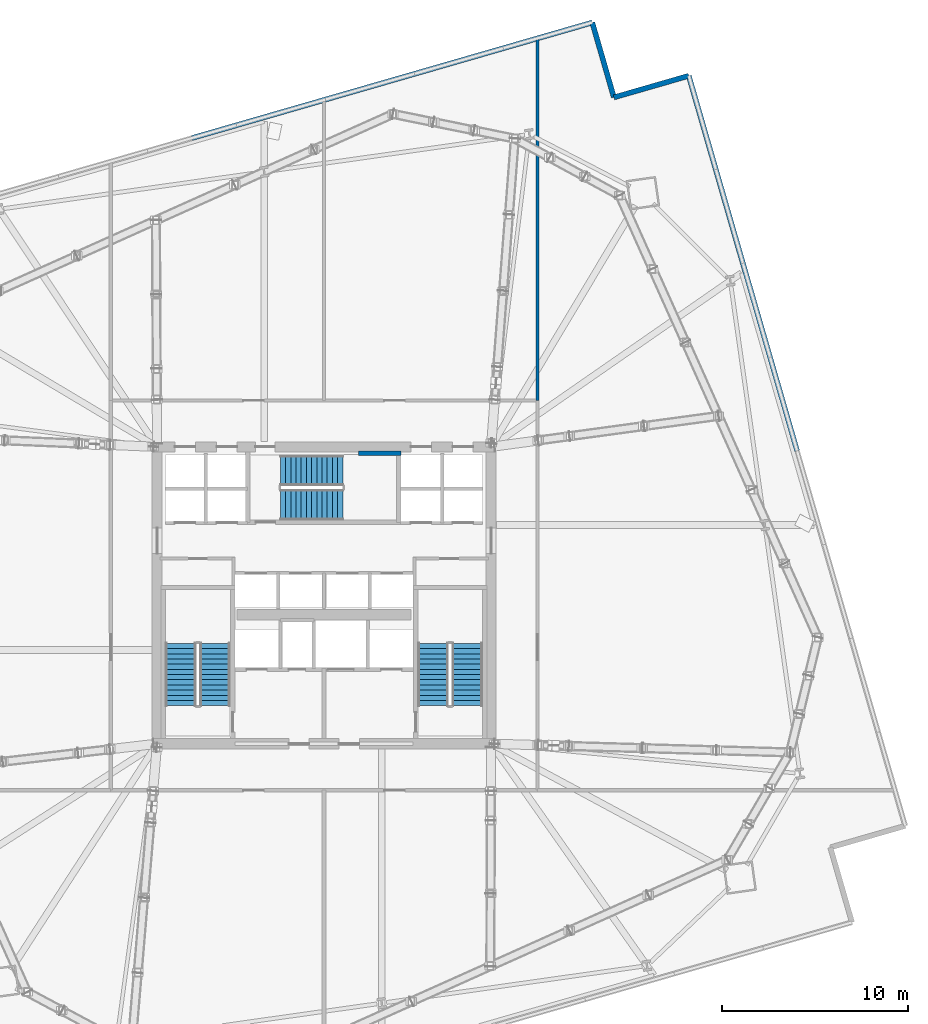
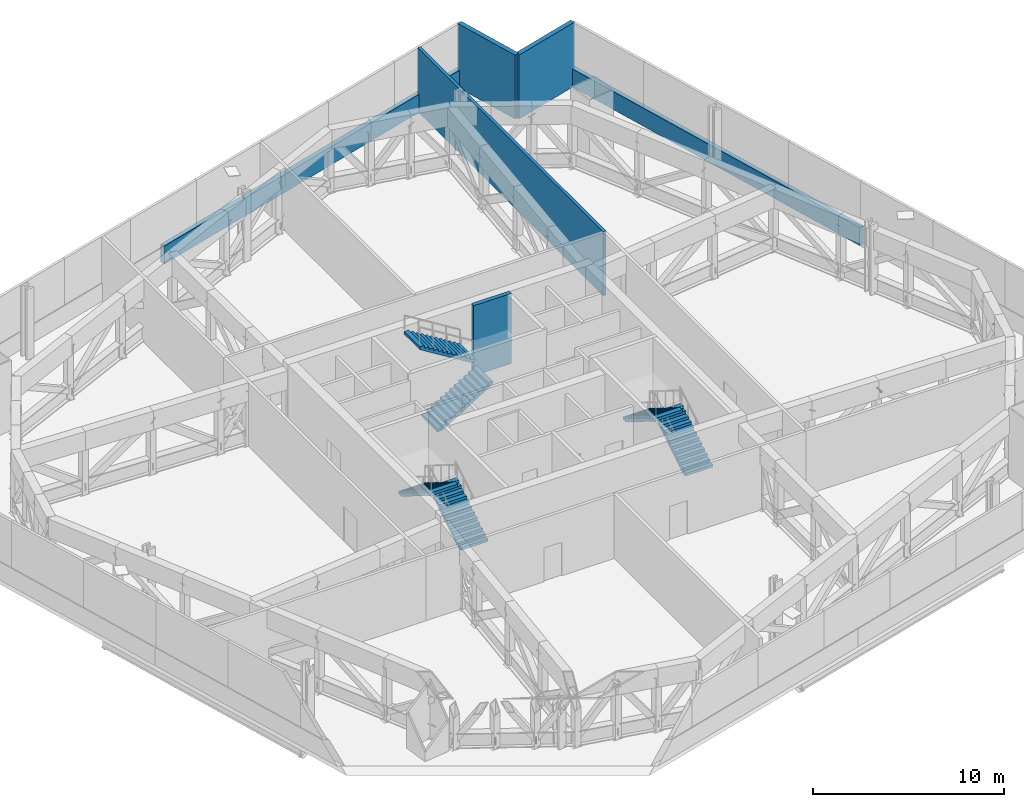
# One storey, part 14 of 19: 6 stair flights, 6 walls, 3 elements without a shape of their own.
"""IFC4 building model written with IfcOpenShell, lengths in metres."""

from ifc_helpers import new_model, si_unit, direction, frame, frame_2d, origin, place, context, subcontext, project, spatial, polyline, rectangle, outline, extrude, material, layer, layer_set, type_object, element, aggregate, save


model = new_model("IFC4")

# Units and contexts
model_context = context("Model", 3, precision=1e-05, world=origin(), true_north=direction((0.0, 1.0)))
body_context = subcontext(model_context, "Body", "Model", "MODEL_VIEW")
ifc_project = project(units=[si_unit("LENGTHUNIT", "METRE"), si_unit("AREAUNIT", "SQUARE_METRE"), si_unit("VOLUMEUNIT", "CUBIC_METRE"), si_unit("PLANEANGLEUNIT", "RADIAN"), si_unit("MASSUNIT", "GRAM", prefix="KILO")], contexts=[model_context])

# Site, building, storey
site_placement = place(None, origin())
site = spatial("IfcSite", under=ifc_project, at=site_placement, CompositionType="ELEMENT")
building_placement = place(site_placement, origin())
building = spatial("IfcBuilding", under=site, at=building_placement, Name="Haldenkirk Collegiate Tower", CompositionType="ELEMENT")
storey_placement = place(building_placement, frame((0.0, 0.0, 81.449951171875)))
storey = spatial("IfcBuildingStorey", under=building, at=storey_placement, Name="L19", CompositionType="ELEMENT", Elevation=81.449951171875)

# Walls
ifc_material_1 = material(Name="Precast concrete f'c 40 MPa", Category="concrete")
ifc_layer_1 = layer(ifc_material_1, 0.280029296875)
ifc_layer_set_1 = layer_set([ifc_layer_1], Name="Precast concrete f'c 40 MPa")
wall_type_1 = type_object("IfcWallType", Name="WL-EXT-PLT-280", PredefinedType="STANDARD", material=ifc_layer_set_1)
wall_1_placement = place(storey_placement, frame((55.656494140625, 53.9990234375, 0.0), z_axis=(0.0, 0.0, 1.0), x_axis=(0.277313521824, -0.960779480741, 0.0)))
element("IfcWall", 1, at=wall_1_placement, inside=storey, type_object=wall_type_1, Name="L19 plant room precast spandrel 04A", PredefinedType="STANDARD", context=body_context, shape_type="SweptSolid", body=[
    extrude(rectangle(XDim=21.03759765625, YDim=0.280029296875, at=frame_2d((10.518798828125, 0.0))), origin(), (0.0, 0.0, 1.0), 1.150146484375),
])
wall_2_placement = place(storey_placement, frame((51.62109375, 52.83447265625, 0.0), z_axis=(0.0, 0.0, 1.0), x_axis=(0.960792328298, 0.277269006351, 0.0)))
element("IfcWall", 2, at=wall_2_placement, inside=storey, type_object=wall_type_1, Name="L19 plant corner precast wall 05", PredefinedType="STANDARD", context=body_context, shape_type="SweptSolid", body=[
    extrude(rectangle(XDim=4.2001953125, YDim=0.280029296875, at=frame_2d((2.10009765625, 0.0))), origin(), (0.0, 0.0, 1.0), 4.090087890625),
])
wall_3_placement = place(storey_placement, frame((50.456298828125, 56.86962890625, 0.0), z_axis=(0.0, 0.0, 1.0), x_axis=(0.277338152402, -0.96077237118, 0.0)))
element("IfcWall", 3, at=wall_3_placement, inside=storey, type_object=wall_type_1, Name="L19 plant corner precast wall 06", PredefinedType="STANDARD", context=body_context, shape_type="SweptSolid", body=[
    extrude(rectangle(XDim=4.199951171875, YDim=0.280029296875, at=frame_2d((2.10009765625, 0.0))), origin(), (0.0, 0.0, 1.0), 4.090087890625),
])
wall_4_placement = place(storey_placement, frame((28.886962890625, 50.64404296875, 0.0), z_axis=(0.0, 0.0, 1.0), x_axis=(0.960780138982, 0.277311241274, 0.0)))
element("IfcWall", 4, at=wall_4_placement, inside=storey, type_object=wall_type_1, Name="L19 plant room precast spandrel 07B", PredefinedType="STANDARD", context=body_context, shape_type="SweptSolid", body=[
    extrude(rectangle(XDim=22.44970703125, YDim=0.280029296875, at=frame_2d((11.224853515625, 0.0))), origin(), (0.0, 0.0, 1.0), 1.150146484375),
])
ifc_material_2 = material(Name="Fire-rated gypsum shaftboard assembly", Category="concrete")
ifc_layer_2 = layer(ifc_material_2, 0.179931640625)
ifc_layer_set_2 = layer_set([ifc_layer_2], Name="Fire-rated gypsum shaftboard assembly")
wall_type_2 = type_object("IfcWallType", Name="WL-INT-SHAFT-180", PredefinedType="PARTITIONING", material=ifc_layer_set_2)
wall_5_placement = place(storey_placement, frame((47.5, 36.5, 0.0), z_axis=(0.0, 0.0, 1.0), x_axis=(0.0, 1.0, 0.0)))
element("IfcWall", 5, at=wall_5_placement, inside=storey, type_object=wall_type_2, Name="L19 interior partition IW-L19-PLTNE", PredefinedType="PARTITIONING", context=body_context, shape_type="SweptSolid", body=[
    extrude(rectangle(XDim=19.474609375, YDim=0.179931640625, at=frame_2d((9.7373046875, 0.0))), origin(), (0.0, 0.0, 1.0), 4.090087890625),
])
ifc_material_3 = material(Name="Concrete f'c 55 MPa", Category="concrete")
ifc_layer_3 = layer(ifc_material_3, 0.239990234375)
ifc_layer_set_3 = layer_set([ifc_layer_3], Name="Concrete f'c 55 MPa")
wall_type_3 = type_object("IfcWallType", Name="WL-SHAFT-240", PredefinedType="SHEAR", material=ifc_layer_set_3)
wall_6_placement = place(storey_placement, frame((37.85009765625, 33.659912109375, 0.0), z_axis=(0.0, 0.0, 1.0), x_axis=(1.0, 0.0, 0.0)))
element("IfcWall", 6, at=wall_6_placement, inside=storey, type_object=wall_type_3, Name="L19 stair shaft shear wall SW-L19-ST3N", PredefinedType="SHEAR", context=body_context, shape_type="SweptSolid", body=[
    extrude(rectangle(XDim=2.289794921875, YDim=0.239990234375, at=frame_2d((1.14501953125, 0.0))), origin(), (0.0, 0.0, 1.0), 4.5),
])

# Stair, stair flights
ifc_material_4 = material(Name="Concrete f'c 40 MPa", Category="concrete")
stair_type = type_object("IfcStairType", Name="STR-DOGLEG-1650", PredefinedType="HALF_TURN_STAIR", material=ifc_material_4)
stair_1_placement = place(storey_placement, origin())
stair_1 = element("IfcStair", 7, at=stair_1_placement, inside=storey, type_object=stair_type, Name="L19 Core Exit Stair ST-1", PredefinedType="HALF_TURN_STAIR")
stair_flight_type = type_object("IfcStairFlightType", Name="STF-FLIGHT-1650", PredefinedType="STRAIGHT", material=ifc_material_4)
stair_flight_1_placement = place(storey_placement, frame((30.125, 20.050048828125, 0.0), z_axis=(0.0, 0.0, 1.0), x_axis=(0.0, 1.0, 0.0)))
stair_flight_1 = element("IfcStairFlight", 8, at=stair_flight_1_placement, type_object=stair_flight_type, Name="ST-1 flight 1", NumberOfRisers=13, NumberOfTreads=12, PredefinedType="STRAIGHT", RiserHeight=0.173076923, TreadLength=0.28, context=body_context, shape_type="SweptSolid", body=[
    extrude(outline(polyline([(0.0, 0.0), (0.0, 0.173095703125), (0.280029296875, 0.173095703125), (0.280029296875, 0.34619140625), (0.56005859375, 0.34619140625), (0.56005859375, 0.519287109375), (0.840087890625, 0.519287109375), (0.840087890625, 0.6923828125), (1.1201171875, 0.6923828125), (1.1201171875, 0.865478515625), (1.39990234375, 0.865478515625), (1.39990234375, 1.03857421875), (1.679931640625, 1.03857421875), (1.679931640625, 1.21142578125), (1.9599609375, 1.21142578125), (1.9599609375, 1.384521484375), (2.239990234375, 1.384521484375), (2.239990234375, 1.5576171875), (2.52001953125, 1.5576171875), (2.52001953125, 1.730712890625), (2.800048828125, 1.730712890625), (2.800048828125, 1.90380859375), (3.080078125, 1.90380859375), (3.080078125, 2.076904296875), (3.360107421875, 2.076904296875), (3.360107421875, 2.25), (3.360107421875, 1.900634765625), (0.28515625, 0.0), (0.0, 0.0)])), frame((0.0, 0.824951171875, 0.0), z_axis=(0.0, -1.0, 0.0), x_axis=(1.0, 0.0, 0.0)), (0.0, 0.0, 1.0), 1.64990234375),
])
stair_flight_2_placement = place(storey_placement, frame((28.27490234375, 23.409912109375, 2.25), z_axis=(0.0, 0.0, 1.0), x_axis=(0.0, -1.0, 0.0)))
stair_flight_2 = element("IfcStairFlight", 9, at=stair_flight_2_placement, type_object=stair_flight_type, Name="ST-1 flight 2", NumberOfRisers=13, NumberOfTreads=12, PredefinedType="STRAIGHT", RiserHeight=0.173076923, TreadLength=0.28, context=body_context, shape_type="SweptSolid", body=[
    extrude(outline(polyline([(0.0, 0.0), (0.0, 0.173095703125), (0.280029296875, 0.173095703125), (0.280029296875, 0.34619140625), (0.56005859375, 0.34619140625), (0.56005859375, 0.519287109375), (0.840087890625, 0.519287109375), (0.840087890625, 0.6923828125), (1.1201171875, 0.6923828125), (1.1201171875, 0.865478515625), (1.39990234375, 0.865478515625), (1.39990234375, 1.03857421875), (1.679931640625, 1.03857421875), (1.679931640625, 1.21142578125), (1.9599609375, 1.21142578125), (1.9599609375, 1.384521484375), (2.239990234375, 1.384521484375), (2.239990234375, 1.5576171875), (2.52001953125, 1.5576171875), (2.52001953125, 1.730712890625), (2.800048828125, 1.730712890625), (2.800048828125, 1.90380859375), (3.080078125, 1.90380859375), (3.080078125, 2.076904296875), (3.360107421875, 2.076904296875), (3.360107421875, 2.25), (3.360107421875, 1.900634765625), (0.28515625, 0.0), (0.0, 0.0)])), frame((0.0, 0.824951171875, 0.0), z_axis=(0.0, -1.0, 0.0), x_axis=(1.0, 0.0, 0.0)), (0.0, 0.0, 1.0), 1.64990234375),
])
aggregate(stair_1, [stair_flight_1, stair_flight_2])

stair_2_placement = place(storey_placement, origin())
stair_2 = element("IfcStair", 10, at=stair_2_placement, inside=storey, type_object=stair_type, Name="L19 Core Exit Stair ST-2", PredefinedType="HALF_TURN_STAIR")
stair_flight_3_placement = place(storey_placement, frame((43.72509765625, 20.050048828125, 0.0), z_axis=(0.0, 0.0, 1.0), x_axis=(0.0, 1.0, 0.0)))
stair_flight_3 = element("IfcStairFlight", 11, at=stair_flight_3_placement, type_object=stair_flight_type, Name="ST-2 flight 1", NumberOfRisers=13, NumberOfTreads=12, PredefinedType="STRAIGHT", RiserHeight=0.173076923, TreadLength=0.28, context=body_context, shape_type="SweptSolid", body=[
    extrude(outline(polyline([(0.0, 0.0), (0.0, 0.173095703125), (0.280029296875, 0.173095703125), (0.280029296875, 0.34619140625), (0.56005859375, 0.34619140625), (0.56005859375, 0.519287109375), (0.840087890625, 0.519287109375), (0.840087890625, 0.6923828125), (1.1201171875, 0.6923828125), (1.1201171875, 0.865478515625), (1.39990234375, 0.865478515625), (1.39990234375, 1.03857421875), (1.679931640625, 1.03857421875), (1.679931640625, 1.21142578125), (1.9599609375, 1.21142578125), (1.9599609375, 1.384521484375), (2.239990234375, 1.384521484375), (2.239990234375, 1.5576171875), (2.52001953125, 1.5576171875), (2.52001953125, 1.730712890625), (2.800048828125, 1.730712890625), (2.800048828125, 1.90380859375), (3.080078125, 1.90380859375), (3.080078125, 2.076904296875), (3.360107421875, 2.076904296875), (3.360107421875, 2.25), (3.360107421875, 1.900634765625), (0.28515625, 0.0), (0.0, 0.0)])), frame((0.0, 0.824951171875, 0.0), z_axis=(0.0, -1.0, 0.0), x_axis=(1.0, 0.0, 0.0)), (0.0, 0.0, 1.0), 1.64990234375),
])
stair_flight_4_placement = place(storey_placement, frame((41.875, 23.409912109375, 2.25), z_axis=(0.0, 0.0, 1.0), x_axis=(0.0, -1.0, 0.0)))
stair_flight_4 = element("IfcStairFlight", 12, at=stair_flight_4_placement, type_object=stair_flight_type, Name="ST-2 flight 2", NumberOfRisers=13, NumberOfTreads=12, PredefinedType="STRAIGHT", RiserHeight=0.173076923, TreadLength=0.28, context=body_context, shape_type="SweptSolid", body=[
    extrude(outline(polyline([(0.0, 0.0), (0.0, 0.173095703125), (0.280029296875, 0.173095703125), (0.280029296875, 0.34619140625), (0.56005859375, 0.34619140625), (0.56005859375, 0.519287109375), (0.840087890625, 0.519287109375), (0.840087890625, 0.6923828125), (1.1201171875, 0.6923828125), (1.1201171875, 0.865478515625), (1.39990234375, 0.865478515625), (1.39990234375, 1.03857421875), (1.679931640625, 1.03857421875), (1.679931640625, 1.21142578125), (1.9599609375, 1.21142578125), (1.9599609375, 1.384521484375), (2.239990234375, 1.384521484375), (2.239990234375, 1.5576171875), (2.52001953125, 1.5576171875), (2.52001953125, 1.730712890625), (2.800048828125, 1.730712890625), (2.800048828125, 1.90380859375), (3.080078125, 1.90380859375), (3.080078125, 2.076904296875), (3.360107421875, 2.076904296875), (3.360107421875, 2.25), (3.360107421875, 1.900634765625), (0.28515625, 0.0), (0.0, 0.0)])), frame((0.0, 0.824951171875, 0.0), z_axis=(0.0, -1.0, 0.0), x_axis=(1.0, 0.0, 0.0)), (0.0, 0.0, 1.0), 1.64990234375),
])
aggregate(stair_2, [stair_flight_3, stair_flight_4])

stair_3_placement = place(storey_placement, origin())
stair_3 = element("IfcStair", 13, at=stair_3_placement, inside=storey, type_object=stair_type, Name="L19 Core Exit Stair ST-3", PredefinedType="HALF_TURN_STAIR")
stair_flight_5_placement = place(storey_placement, frame((33.64990234375, 30.875, 0.0), z_axis=(0.0, 0.0, 1.0), x_axis=(1.0, 0.0, 0.0)))
stair_flight_5 = element("IfcStairFlight", 14, at=stair_flight_5_placement, type_object=stair_flight_type, Name="ST-3 flight 1", NumberOfRisers=13, NumberOfTreads=12, PredefinedType="STRAIGHT", RiserHeight=0.173076923, TreadLength=0.28, context=body_context, shape_type="SweptSolid", body=[
    extrude(outline(polyline([(0.0, 0.0), (0.0, 0.173095703125), (0.280029296875, 0.173095703125), (0.280029296875, 0.34619140625), (0.56005859375, 0.34619140625), (0.56005859375, 0.519287109375), (0.840087890625, 0.519287109375), (0.840087890625, 0.6923828125), (1.1201171875, 0.6923828125), (1.1201171875, 0.865478515625), (1.39990234375, 0.865478515625), (1.39990234375, 1.03857421875), (1.679931640625, 1.03857421875), (1.679931640625, 1.21142578125), (1.9599609375, 1.21142578125), (1.9599609375, 1.384521484375), (2.239990234375, 1.384521484375), (2.239990234375, 1.5576171875), (2.52001953125, 1.5576171875), (2.52001953125, 1.730712890625), (2.800048828125, 1.730712890625), (2.800048828125, 1.90380859375), (3.080078125, 1.90380859375), (3.080078125, 2.076904296875), (3.360107421875, 2.076904296875), (3.360107421875, 2.25), (3.360107421875, 1.900634765625), (0.28515625, 0.0), (0.0, 0.0)])), frame((0.0, 0.824951171875, 0.0), z_axis=(0.0, -1.0, 0.0), x_axis=(1.0, 0.0, 0.0)), (0.0, 0.0, 1.0), 1.64990234375),
])
stair_flight_6_placement = place(storey_placement, frame((37.010009765625, 32.72509765625, 2.25), z_axis=(0.0, 0.0, 1.0), x_axis=(-1.0, 0.0, 0.0)))
stair_flight_6 = element("IfcStairFlight", 15, at=stair_flight_6_placement, type_object=stair_flight_type, Name="ST-3 flight 2", NumberOfRisers=13, NumberOfTreads=12, PredefinedType="STRAIGHT", RiserHeight=0.173076923, TreadLength=0.28, context=body_context, shape_type="SweptSolid", body=[
    extrude(outline(polyline([(0.0, 0.0), (0.0, 0.173095703125), (0.280029296875, 0.173095703125), (0.280029296875, 0.34619140625), (0.56005859375, 0.34619140625), (0.56005859375, 0.519287109375), (0.840087890625, 0.519287109375), (0.840087890625, 0.6923828125), (1.1201171875, 0.6923828125), (1.1201171875, 0.865478515625), (1.39990234375, 0.865478515625), (1.39990234375, 1.03857421875), (1.679931640625, 1.03857421875), (1.679931640625, 1.21142578125), (1.9599609375, 1.21142578125), (1.9599609375, 1.384521484375), (2.239990234375, 1.384521484375), (2.239990234375, 1.5576171875), (2.52001953125, 1.5576171875), (2.52001953125, 1.730712890625), (2.800048828125, 1.730712890625), (2.800048828125, 1.90380859375), (3.080078125, 1.90380859375), (3.080078125, 2.076904296875), (3.360107421875, 2.076904296875), (3.360107421875, 2.25), (3.360107421875, 1.900634765625), (0.28515625, 0.0), (0.0, 0.0)])), frame((0.0, 0.824951171875, 0.0), z_axis=(0.0, -1.0, 0.0), x_axis=(1.0, 0.0, 0.0)), (0.0, 0.0, 1.0), 1.64990234375),
])
aggregate(stair_3, [stair_flight_5, stair_flight_6])

save(model, "model.ifc")
